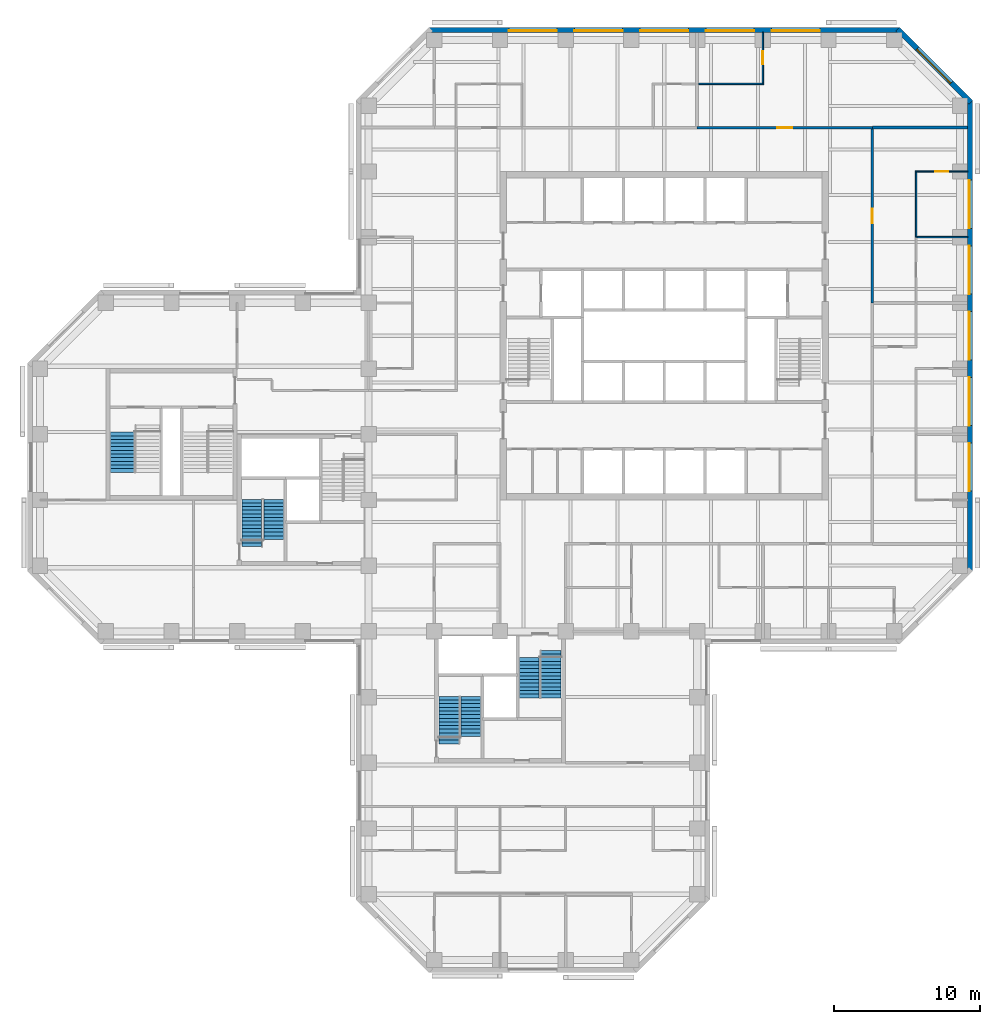
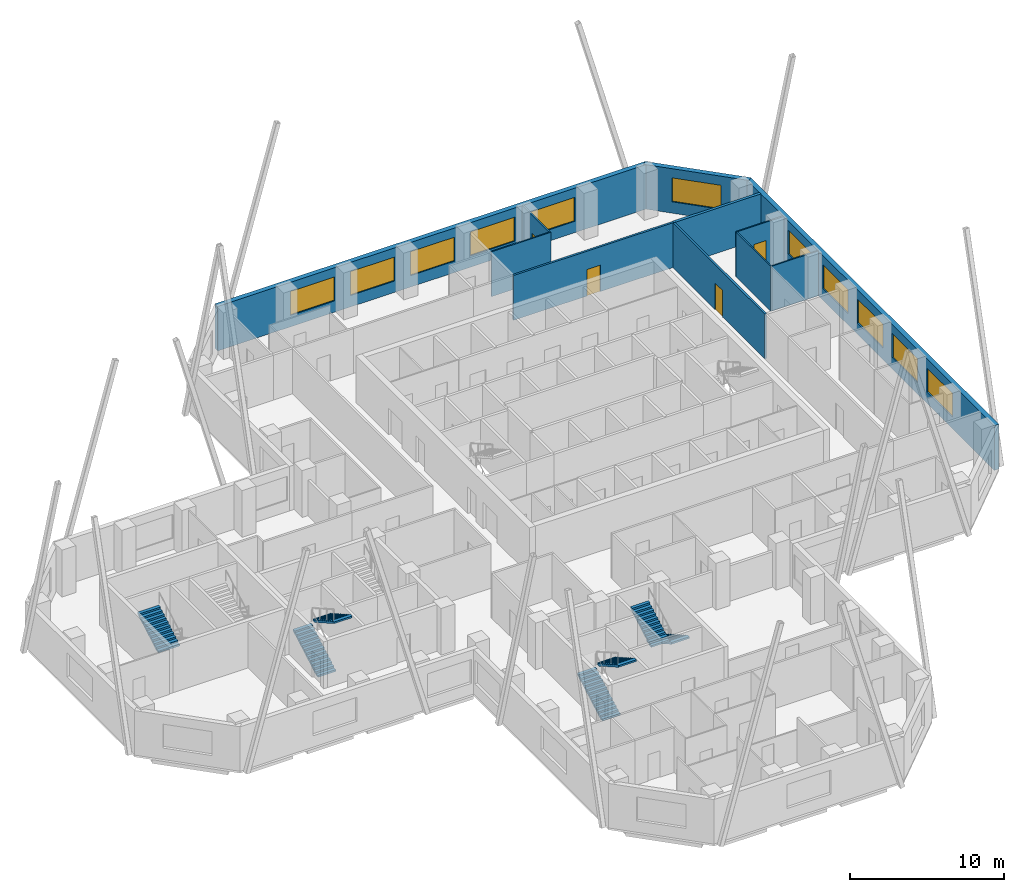
# One storey, part 9 of 11: 11 walls, 11 windows, 7 stair flights, 4 doors, 15 openings, 4 elements without a shape of their own.
"""IFC4 building model written with IfcOpenShell, lengths in metres."""

from ifc_helpers import new_model, si_unit, direction, frame, frame_2d, origin, place, context, subcontext, project, spatial, polyline, rectangle, outline, extrude, material, layer, layer_set, constituent, constituent_set, type_object, element, fill, aggregate, save


model = new_model("IFC4")

# Units and contexts
model_context = context("Model", 3, precision=1e-05, world=origin(), true_north=direction((0.0, 1.0)))
body_context = subcontext(model_context, "Body", "Model", "MODEL_VIEW")
ifc_project = project(units=[si_unit("LENGTHUNIT", "METRE"), si_unit("AREAUNIT", "SQUARE_METRE"), si_unit("VOLUMEUNIT", "CUBIC_METRE"), si_unit("PLANEANGLEUNIT", "RADIAN"), si_unit("MASSUNIT", "GRAM", prefix="KILO")], contexts=[model_context])

# Site, building, storey
site_placement = place(None, origin())
site = spatial("IfcSite", under=ifc_project, at=site_placement, CompositionType="ELEMENT")
building_placement = place(site_placement, origin())
building = spatial("IfcBuilding", under=site, at=building_placement, Name="Quoin Convention Tower", CompositionType="ELEMENT")
storey_placement = place(building_placement, frame((0.0, 0.0, 127.0)))
storey = spatial("IfcBuildingStorey", under=building, at=storey_placement, Name="L33", CompositionType="ELEMENT", Elevation=127.0)

# Wall, openings, windows
ifc_material_1 = material(Name="Brick masonry", Category="masonry")
ifc_layer_1 = layer(ifc_material_1, 0.35009765625)
ifc_layer_set_1 = layer_set([ifc_layer_1], Name="Brick masonry")
wall_type_1 = type_object("IfcWallType", Name="Brick facade wall", PredefinedType="STANDARD", material=ifc_layer_set_1)
wall_1_placement = place(storey_placement, frame((77.199951171875, 44.6376953125, 0.0), z_axis=(0.0, 0.0, 1.0), x_axis=(0.0, 1.0, 0.0)))
wall_1 = element("IfcWall", 1, at=wall_1_placement, inside=storey, type_object=wall_type_1, Name="fw-L33-76500_45000", PredefinedType="STANDARD", context=body_context, shape_type="SweptSolid", body=[
    extrude(rectangle(XDim=32.224609375, YDim=0.35009765625, at=frame_2d((16.1123046875, 0.0))), origin(), (0.0, 0.0, 1.0), 3.52490234375),
])
opening_1_placement = place(wall_1_placement, frame((5.46240234375, 0.0, 0.89990234375)))
opening_1 = element("IfcOpeningElement", 2, at=opening_1_placement, cuts=wall_1, Name="Opening W-02", PredefinedType="OPENING", context=body_context, shape_type="SweptSolid", body=[
    extrude(rectangle(XDim=3.300048828125, YDim=1.89990234375, at=frame_2d((1.64990234375, 0.949951171875))), frame((0.0, 0.18505859375, 0.0), z_axis=(0.0, -1.0, 0.0), x_axis=(1.0, 0.0, 0.0)), (0.0, 0.0, 1.0), 0.3701171875),
])
opening_2_placement = place(wall_1_placement, frame((9.96240234375, 0.0, 0.89990234375)))
opening_2 = element("IfcOpeningElement", 3, at=opening_2_placement, cuts=wall_1, Name="Opening W-02", PredefinedType="OPENING", context=body_context, shape_type="SweptSolid", body=[
    extrude(rectangle(XDim=3.300048828125, YDim=1.89990234375, at=frame_2d((1.64990234375, 0.949951171875))), frame((0.0, 0.18505859375, 0.0), z_axis=(0.0, -1.0, 0.0), x_axis=(1.0, 0.0, 0.0)), (0.0, 0.0, 1.0), 0.3701171875),
])
opening_3_placement = place(wall_1_placement, frame((14.46240234375, 0.0, 0.89990234375)))
opening_3 = element("IfcOpeningElement", 4, at=opening_3_placement, cuts=wall_1, Name="Opening W-02", PredefinedType="OPENING", context=body_context, shape_type="SweptSolid", body=[
    extrude(rectangle(XDim=3.300048828125, YDim=1.89990234375, at=frame_2d((1.64990234375, 0.949951171875))), frame((0.0, 0.18505859375, 0.0), z_axis=(0.0, -1.0, 0.0), x_axis=(1.0, 0.0, 0.0)), (0.0, 0.0, 1.0), 0.3701171875),
])
opening_4_placement = place(wall_1_placement, frame((18.96240234375, 0.0, 0.89990234375)))
opening_4 = element("IfcOpeningElement", 5, at=opening_4_placement, cuts=wall_1, Name="Opening W-02", PredefinedType="OPENING", context=body_context, shape_type="SweptSolid", body=[
    extrude(rectangle(XDim=3.300048828125, YDim=1.89990234375, at=frame_2d((1.64990234375, 0.949951171875))), frame((0.0, 0.18505859375, 0.0), z_axis=(0.0, -1.0, 0.0), x_axis=(1.0, 0.0, 0.0)), (0.0, 0.0, 1.0), 0.3701171875),
])
opening_5_placement = place(wall_1_placement, frame((23.46240234375, 0.0, 0.89990234375)))
opening_5 = element("IfcOpeningElement", 6, at=opening_5_placement, cuts=wall_1, Name="Opening W-02", PredefinedType="OPENING", context=body_context, shape_type="SweptSolid", body=[
    extrude(rectangle(XDim=3.300048828125, YDim=1.89990234375, at=frame_2d((1.64990234375, 0.949951171875))), frame((0.0, 0.18505859375, 0.0), z_axis=(0.0, -1.0, 0.0), x_axis=(1.0, 0.0, 0.0)), (0.0, 0.0, 1.0), 0.3701171875),
])
ifc_material_2 = material(Name="Aluminium", Category="aluminium")
ifc_constituent_1 = constituent(ifc_material_2, Name="Frame")
ifc_material_3 = material(Name="Insulated glass", Category="glass")
ifc_constituent_2 = constituent(ifc_material_3, Name="Glazing")
ifc_constituent_set = constituent_set(constituents=[ifc_constituent_1, ifc_constituent_2], Name="Aluminium")
window_type = type_object("IfcWindowType", Name="Office window", PartitioningType="DOUBLE_PANEL_VERTICAL", PredefinedType="WINDOW", material=ifc_constituent_set)
window_1_placement = place(opening_1_placement, origin())
window_1 = element("IfcWindow", 7, at=window_1_placement, inside=storey, type_object=window_type, Name="win-L33-77200_51750", OverallHeight=1.89990234375, OverallWidth=3.300048828125, PartitioningType="SINGLE_PANEL", PredefinedType="WINDOW", context=body_context, shape_type="SweptSolid", body=[
    extrude(rectangle(XDim=3.300048828125, YDim=1.89990234375, at=frame_2d((1.64990234375, 0.949951171875))), frame((0.0, 0.0849609375, 0.0), z_axis=(0.0, -1.0, 0.0), x_axis=(1.0, 0.0, 0.0)), (0.0, 0.0, 1.0), 0.06005859375),
])
fill(opening_1, window_1)
window_2_placement = place(opening_2_placement, origin())
window_2 = element("IfcWindow", 8, at=window_2_placement, inside=storey, type_object=window_type, Name="win-L33-77200_56250", OverallHeight=1.89990234375, OverallWidth=3.300048828125, PartitioningType="SINGLE_PANEL", PredefinedType="WINDOW", context=body_context, shape_type="SweptSolid", body=[
    extrude(rectangle(XDim=3.300048828125, YDim=1.89990234375, at=frame_2d((1.64990234375, 0.949951171875))), frame((0.0, 0.0849609375, 0.0), z_axis=(0.0, -1.0, 0.0), x_axis=(1.0, 0.0, 0.0)), (0.0, 0.0, 1.0), 0.06005859375),
])
fill(opening_2, window_2)
window_3_placement = place(opening_3_placement, origin())
window_3 = element("IfcWindow", 9, at=window_3_placement, inside=storey, type_object=window_type, Name="win-L33-77200_60750", OverallHeight=1.89990234375, OverallWidth=3.300048828125, PartitioningType="SINGLE_PANEL", PredefinedType="WINDOW", context=body_context, shape_type="SweptSolid", body=[
    extrude(rectangle(XDim=3.300048828125, YDim=1.89990234375, at=frame_2d((1.64990234375, 0.949951171875))), frame((0.0, 0.0849609375, 0.0), z_axis=(0.0, -1.0, 0.0), x_axis=(1.0, 0.0, 0.0)), (0.0, 0.0, 1.0), 0.06005859375),
])
fill(opening_3, window_3)
window_4_placement = place(opening_4_placement, origin())
window_4 = element("IfcWindow", 10, at=window_4_placement, inside=storey, type_object=window_type, Name="win-L33-77200_65250", OverallHeight=1.89990234375, OverallWidth=3.300048828125, PartitioningType="SINGLE_PANEL", PredefinedType="WINDOW", context=body_context, shape_type="SweptSolid", body=[
    extrude(rectangle(XDim=3.300048828125, YDim=1.89990234375, at=frame_2d((1.64990234375, 0.949951171875))), frame((0.0, 0.0849609375, 0.0), z_axis=(0.0, -1.0, 0.0), x_axis=(1.0, 0.0, 0.0)), (0.0, 0.0, 1.0), 0.06005859375),
])
fill(opening_4, window_4)
window_5_placement = place(opening_5_placement, origin())
window_5 = element("IfcWindow", 11, at=window_5_placement, inside=storey, type_object=window_type, Name="win-L33-77200_69750", OverallHeight=1.89990234375, OverallWidth=3.300048828125, PartitioningType="SINGLE_PANEL", PredefinedType="WINDOW", context=body_context, shape_type="SweptSolid", body=[
    extrude(rectangle(XDim=3.300048828125, YDim=1.89990234375, at=frame_2d((1.64990234375, 0.949951171875))), frame((0.0, 0.0849609375, 0.0), z_axis=(0.0, -1.0, 0.0), x_axis=(1.0, 0.0, 0.0)), (0.0, 0.0, 1.0), 0.06005859375),
])
fill(opening_5, window_5)

# Wall, opening, window
wall_2_placement = place(storey_placement, frame((77.251220703125, 76.73876953125, 0.0), z_axis=(0.0, 0.0, 1.0), x_axis=(-0.707106781187, 0.707106781187, 0.0)))
wall_2 = element("IfcWall", 12, at=wall_2_placement, inside=storey, type_object=wall_type_1, Name="fw-L33-76500_76500", PredefinedType="STANDARD", context=body_context, shape_type="SweptSolid", body=[
    extrude(rectangle(XDim=7.088623046875, YDim=0.35009765625, at=frame_2d((3.54443359375, 0.0))), origin(), (0.0, 0.0, 1.0), 3.52490234375),
])
opening_6_placement = place(wall_2_placement, frame((1.894287109375, 0.0, 0.89990234375)))
opening_6 = element("IfcOpeningElement", 13, at=opening_6_placement, cuts=wall_2, Name="Opening W-02", PredefinedType="OPENING", context=body_context, shape_type="SweptSolid", body=[
    extrude(rectangle(XDim=3.300048828125, YDim=1.89990234375, at=frame_2d((1.64990234375, 0.949951171875))), frame((0.0, 0.18505859375, 0.0), z_axis=(0.0, -1.0, 0.0), x_axis=(1.0, 0.0, 0.0)), (0.0, 0.0, 1.0), 0.3701171875),
])
window_6_placement = place(opening_6_placement, origin())
window_6 = element("IfcWindow", 14, at=window_6_placement, inside=storey, type_object=window_type, Name="win-L33-74745_79245", OverallHeight=1.89990234375, OverallWidth=3.300048828125, PartitioningType="SINGLE_PANEL", PredefinedType="WINDOW", context=body_context, shape_type="SweptSolid", body=[
    extrude(rectangle(XDim=3.300048828125, YDim=1.89990234375, at=frame_2d((1.64990234375, 0.949951171875))), frame((0.0, 0.0849609375, 0.0), z_axis=(0.0, -1.0, 0.0), x_axis=(1.0, 0.0, 0.0)), (0.0, 0.0, 1.0), 0.06005859375),
])
fill(opening_6, window_6)

# Wall, openings, windows
wall_3_placement = place(storey_placement, frame((72.3623046875, 81.699951171875, 0.0), z_axis=(0.0, 0.0, 1.0), x_axis=(-1.0, 0.0, 0.0)))
wall_3 = element("IfcWall", 15, at=wall_3_placement, inside=storey, type_object=wall_type_1, Name="fw-L33-72000_81000", PredefinedType="STANDARD", context=body_context, shape_type="SweptSolid", body=[
    extrude(rectangle(XDim=32.224609375, YDim=0.35009765625, at=frame_2d((16.1123046875, 0.0))), origin(), (0.0, 0.0, 1.0), 3.52490234375),
])
opening_7_placement = place(wall_3_placement, frame((5.46240234375, 0.0, 0.89990234375)))
opening_7 = element("IfcOpeningElement", 16, at=opening_7_placement, cuts=wall_3, Name="Opening W-02", PredefinedType="OPENING", context=body_context, shape_type="SweptSolid", body=[
    extrude(rectangle(XDim=3.300048828125, YDim=1.89990234375, at=frame_2d((1.64990234375, 0.949951171875))), frame((0.0, 0.18505859375, 0.0), z_axis=(0.0, -1.0, 0.0), x_axis=(1.0, 0.0, 0.0)), (0.0, 0.0, 1.0), 0.3701171875),
])
opening_8_placement = place(wall_3_placement, frame((9.96240234375, 0.0, 0.89990234375)))
opening_8 = element("IfcOpeningElement", 17, at=opening_8_placement, cuts=wall_3, Name="Opening W-02", PredefinedType="OPENING", context=body_context, shape_type="SweptSolid", body=[
    extrude(rectangle(XDim=3.300048828125, YDim=1.89990234375, at=frame_2d((1.64990234375, 0.949951171875))), frame((0.0, 0.18505859375, 0.0), z_axis=(0.0, -1.0, 0.0), x_axis=(1.0, 0.0, 0.0)), (0.0, 0.0, 1.0), 0.3701171875),
])
opening_9_placement = place(wall_3_placement, frame((14.46240234375, 0.0, 0.89990234375)))
opening_9 = element("IfcOpeningElement", 18, at=opening_9_placement, cuts=wall_3, Name="Opening W-02", PredefinedType="OPENING", context=body_context, shape_type="SweptSolid", body=[
    extrude(rectangle(XDim=3.300048828125, YDim=1.89990234375, at=frame_2d((1.64990234375, 0.949951171875))), frame((0.0, 0.18505859375, 0.0), z_axis=(0.0, -1.0, 0.0), x_axis=(1.0, 0.0, 0.0)), (0.0, 0.0, 1.0), 0.3701171875),
])
opening_10_placement = place(wall_3_placement, frame((18.96240234375, 0.0, 0.89990234375)))
opening_10 = element("IfcOpeningElement", 19, at=opening_10_placement, cuts=wall_3, Name="Opening W-02", PredefinedType="OPENING", context=body_context, shape_type="SweptSolid", body=[
    extrude(rectangle(XDim=3.300048828125, YDim=1.89990234375, at=frame_2d((1.64990234375, 0.949951171875))), frame((0.0, 0.18505859375, 0.0), z_axis=(0.0, -1.0, 0.0), x_axis=(1.0, 0.0, 0.0)), (0.0, 0.0, 1.0), 0.3701171875),
])
opening_11_placement = place(wall_3_placement, frame((23.46240234375, 0.0, 0.89990234375)))
opening_11 = element("IfcOpeningElement", 20, at=opening_11_placement, cuts=wall_3, Name="Opening W-02", PredefinedType="OPENING", context=body_context, shape_type="SweptSolid", body=[
    extrude(rectangle(XDim=3.300048828125, YDim=1.89990234375, at=frame_2d((1.64990234375, 0.949951171875))), frame((0.0, 0.18505859375, 0.0), z_axis=(0.0, -1.0, 0.0), x_axis=(1.0, 0.0, 0.0)), (0.0, 0.0, 1.0), 0.3701171875),
])
window_7_placement = place(opening_7_placement, origin())
window_7 = element("IfcWindow", 21, at=window_7_placement, inside=storey, type_object=window_type, Name="win-L33-65250_81700", OverallHeight=1.89990234375, OverallWidth=3.300048828125, PartitioningType="SINGLE_PANEL", PredefinedType="WINDOW", context=body_context, shape_type="SweptSolid", body=[
    extrude(rectangle(XDim=3.300048828125, YDim=1.89990234375, at=frame_2d((1.64990234375, 0.949951171875))), frame((0.0, 0.0849609375, 0.0), z_axis=(0.0, -1.0, 0.0), x_axis=(1.0, 0.0, 0.0)), (0.0, 0.0, 1.0), 0.06005859375),
])
fill(opening_7, window_7)
window_8_placement = place(opening_8_placement, origin())
window_8 = element("IfcWindow", 22, at=window_8_placement, inside=storey, type_object=window_type, Name="win-L33-60750_81700", OverallHeight=1.89990234375, OverallWidth=3.300048828125, PartitioningType="SINGLE_PANEL", PredefinedType="WINDOW", context=body_context, shape_type="SweptSolid", body=[
    extrude(rectangle(XDim=3.300048828125, YDim=1.89990234375, at=frame_2d((1.64990234375, 0.949951171875))), frame((0.0, 0.0849609375, 0.0), z_axis=(0.0, -1.0, 0.0), x_axis=(1.0, 0.0, 0.0)), (0.0, 0.0, 1.0), 0.06005859375),
])
fill(opening_8, window_8)
window_9_placement = place(opening_9_placement, origin())
window_9 = element("IfcWindow", 23, at=window_9_placement, inside=storey, type_object=window_type, Name="win-L33-56250_81700", OverallHeight=1.89990234375, OverallWidth=3.300048828125, PartitioningType="SINGLE_PANEL", PredefinedType="WINDOW", context=body_context, shape_type="SweptSolid", body=[
    extrude(rectangle(XDim=3.300048828125, YDim=1.89990234375, at=frame_2d((1.64990234375, 0.949951171875))), frame((0.0, 0.0849609375, 0.0), z_axis=(0.0, -1.0, 0.0), x_axis=(1.0, 0.0, 0.0)), (0.0, 0.0, 1.0), 0.06005859375),
])
fill(opening_9, window_9)
window_10_placement = place(opening_10_placement, origin())
window_10 = element("IfcWindow", 24, at=window_10_placement, inside=storey, type_object=window_type, Name="win-L33-51750_81700", OverallHeight=1.89990234375, OverallWidth=3.300048828125, PartitioningType="SINGLE_PANEL", PredefinedType="WINDOW", context=body_context, shape_type="SweptSolid", body=[
    extrude(rectangle(XDim=3.300048828125, YDim=1.89990234375, at=frame_2d((1.64990234375, 0.949951171875))), frame((0.0, 0.0849609375, 0.0), z_axis=(0.0, -1.0, 0.0), x_axis=(1.0, 0.0, 0.0)), (0.0, 0.0, 1.0), 0.06005859375),
])
fill(opening_10, window_10)
window_11_placement = place(opening_11_placement, origin())
window_11 = element("IfcWindow", 25, at=window_11_placement, inside=storey, type_object=window_type, Name="win-L33-47250_81700", OverallHeight=1.89990234375, OverallWidth=3.300048828125, PartitioningType="SINGLE_PANEL", PredefinedType="WINDOW", context=body_context, shape_type="SweptSolid", body=[
    extrude(rectangle(XDim=3.300048828125, YDim=1.89990234375, at=frame_2d((1.64990234375, 0.949951171875))), frame((0.0, 0.0849609375, 0.0), z_axis=(0.0, -1.0, 0.0), x_axis=(1.0, 0.0, 0.0)), (0.0, 0.0, 1.0), 0.06005859375),
])
fill(opening_11, window_11)

# Wall, opening, door
ifc_material_4 = material(Name="Plasterboard")
ifc_layer_2 = layer(ifc_material_4, 0.012451171875, Name="Finish")
ifc_material_5 = material(Name="Steel stud framing", Category="steel")
ifc_layer_3 = layer(ifc_material_5, 0.125, Name="Structure")
ifc_layer_4 = layer(ifc_material_4, 0.012451171875, Name="Finish")
ifc_layer_set_2 = layer_set([ifc_layer_2, ifc_layer_3, ifc_layer_4], Name="Steel stud framing")
wall_type_2 = type_object("IfcWallType", Name="Corridor wall 150", PredefinedType="PARTITIONING", material=ifc_layer_set_2)
wall_4_placement = place(storey_placement, frame((58.5, 75.0, 0.0), z_axis=(0.0, 0.0, 1.0), x_axis=(1.0, 0.0, 0.0)))
wall_4 = element("IfcWall", 26, at=wall_4_placement, inside=storey, type_object=wall_type_2, Name="pw-L33-053", PredefinedType="PARTITIONING", context=body_context, shape_type="SweptSolid", body=[
    extrude(rectangle(XDim=12.0, YDim=0.14990234375, at=frame_2d((6.0, 0.0))), origin(), (0.0, 0.0, 1.0), 3.550048828125),
])
opening_12_placement = place(wall_4_placement, frame((5.5, 0.0, 0.0)))
opening_12 = element("IfcOpeningElement", 27, at=opening_12_placement, cuts=wall_4, Name="Opening DOL7-22", PredefinedType="OPENING", context=body_context, shape_type="SweptSolid", body=[
    extrude(rectangle(XDim=1.0, YDim=2.10009765625, at=frame_2d((0.5, 1.050048828125))), frame((0.0, 0.0849609375, 0.0), z_axis=(0.0, -1.0, 0.0), x_axis=(1.0, 0.0, 0.0)), (0.0, 0.0, 1.0), 0.169921875),
])
ifc_material_6 = material(Name="Steel door leaf", Category="steel")
door_type_1 = type_object("IfcDoorType", Name="Tenancy entrance door 1000 x 2100", OperationType="DOUBLE_DOOR_SINGLE_SWING", PredefinedType="DOOR", material=ifc_material_6)
door_1_placement = place(opening_12_placement, origin())
door_1 = element("IfcDoor", 28, at=door_1_placement, inside=storey, type_object=door_type_1, Name="dr-L33-36", OperationType="DOUBLE_DOOR_SINGLE_SWING", OverallHeight=2.10009765625, OverallWidth=1.0, PredefinedType="DOOR", context=body_context, shape_type="SweptSolid", body=[
    extrude(rectangle(XDim=1.0, YDim=2.10009765625, at=frame_2d((0.5, 1.050048828125))), frame((0.0, 0.02490234375, 0.0), z_axis=(0.0, -1.0, 0.0), x_axis=(1.0, 0.0, 0.0)), (0.0, 0.0, 1.0), 0.050048828125),
])
fill(opening_12, door_1)

wall_5_placement = place(storey_placement, frame((70.5, 63.0, 0.0), z_axis=(0.0, 0.0, 1.0), x_axis=(0.0, 1.0, 0.0)))
wall_5 = element("IfcWall", 29, at=wall_5_placement, inside=storey, type_object=wall_type_2, Name="pw-L33-099", PredefinedType="PARTITIONING", context=body_context, shape_type="SweptSolid", body=[
    extrude(rectangle(XDim=11.89990234375, YDim=0.14990234375, at=frame_2d((5.949951171875, 0.0))), origin(), (0.0, 0.0, 1.0), 3.550048828125),
])
opening_13_placement = place(wall_5_placement, frame((5.449951171875, 0.0, 0.0)))
opening_13 = element("IfcOpeningElement", 30, at=opening_13_placement, cuts=wall_5, Name="Opening DOL7-33", PredefinedType="OPENING", context=body_context, shape_type="SweptSolid", body=[
    extrude(rectangle(XDim=1.0, YDim=2.10009765625, at=frame_2d((0.5, 1.050048828125))), frame((0.0, 0.0849609375, 0.0), z_axis=(0.0, -1.0, 0.0), x_axis=(1.0, 0.0, 0.0)), (0.0, 0.0, 1.0), 0.169921875),
])
door_2_placement = place(opening_13_placement, frame((1.0, 0.0, 0.0), z_axis=(0.0, 0.0, 1.0), x_axis=(-1.0, 0.0, 0.0)))
door_2 = element("IfcDoor", 31, at=door_2_placement, inside=storey, type_object=door_type_1, Name="dr-L33-29", OperationType="DOUBLE_DOOR_SINGLE_SWING", OverallHeight=2.10009765625, OverallWidth=1.0, PredefinedType="DOOR", context=body_context, shape_type="SweptSolid", body=[
    extrude(rectangle(XDim=1.0, YDim=2.10009765625, at=frame_2d((0.5, 1.050048828125))), frame((0.0, 0.02490234375, 0.0), z_axis=(0.0, -1.0, 0.0), x_axis=(1.0, 0.0, 0.0)), (0.0, 0.0, 1.0), 0.050048828125),
])
fill(opening_13, door_2)

# Wall
ifc_layer_5 = layer(ifc_material_4, 0.012451171875, Name="Finish")
ifc_layer_6 = layer(ifc_material_5, 0.074951171875, Name="Structure")
ifc_layer_7 = layer(ifc_material_4, 0.012451171875, Name="Finish")
ifc_layer_set_3 = layer_set([ifc_layer_5, ifc_layer_6, ifc_layer_7], Name="Steel stud framing")
wall_type_3 = type_object("IfcWallType", Name="Stud partition 100", PredefinedType="PARTITIONING", material=ifc_layer_set_3)
wall_6_placement = place(storey_placement, frame((73.550048828125, 67.5, 0.0), z_axis=(0.0, 0.0, 1.0), x_axis=(1.0, 0.0, 0.0)))
element("IfcWall", 32, at=wall_6_placement, inside=storey, type_object=wall_type_3, Name="pw-L33-046", PredefinedType="PARTITIONING", context=body_context, shape_type="SweptSolid", body=[
    extrude(rectangle(XDim=3.474853515625, YDim=0.10009765625, at=frame_2d((1.7373046875, 0.0))), origin(), (0.0, 0.0, 1.0), 3.550048828125),
])

# Wall, opening, door
wall_7_placement = place(storey_placement, frame((73.449951171875, 72.0, 0.0), z_axis=(0.0, 0.0, 1.0), x_axis=(1.0, 0.0, 0.0)))
wall_7 = element("IfcWall", 33, at=wall_7_placement, inside=storey, type_object=wall_type_3, Name="pw-L33-047", PredefinedType="PARTITIONING", context=body_context, shape_type="SweptSolid", body=[
    extrude(rectangle(XDim=3.574951171875, YDim=0.10009765625, at=frame_2d((1.78759765625, 0.0))), origin(), (0.0, 0.0, 1.0), 3.550048828125),
])
opening_14_placement = place(wall_7_placement, frame((1.35009765625, 0.0, 0.0)))
opening_14 = element("IfcOpeningElement", 34, at=opening_14_placement, cuts=wall_7, Name="Opening DOL7-20", PredefinedType="OPENING", context=body_context, shape_type="SweptSolid", body=[
    extrude(rectangle(XDim=0.89990234375, YDim=2.10009765625, at=frame_2d((0.449951171875, 1.050048828125))), frame((0.0, 0.06005859375, 0.0), z_axis=(0.0, -1.0, 0.0), x_axis=(1.0, 0.0, 0.0)), (0.0, 0.0, 1.0), 0.1201171875),
])
door_type_2 = type_object("IfcDoorType", Name="Office door 900 x 2100", OperationType="SINGLE_SWING_RIGHT", PredefinedType="DOOR", material=ifc_material_6)
door_3_placement = place(opening_14_placement, origin())
door_3 = element("IfcDoor", 35, at=door_3_placement, inside=storey, type_object=door_type_2, Name="dr-L33-31", OperationType="SINGLE_SWING_RIGHT", OverallHeight=2.10009765625, OverallWidth=0.89990234375, PredefinedType="DOOR", context=body_context, shape_type="SweptSolid", body=[
    extrude(rectangle(XDim=0.89990234375, YDim=2.10009765625, at=frame_2d((0.449951171875, 1.050048828125))), frame((0.0, 0.02490234375, 0.0), z_axis=(0.0, -1.0, 0.0), x_axis=(1.0, 0.0, 0.0)), (0.0, 0.0, 1.0), 0.050048828125),
])
fill(opening_14, door_3)

# Walls
for number, where, z_axis, x_axis, name in (
    (36, (58.60009765625, 78.0, 0.0), (0.0, 0.0, 1.0), (1.0, 0.0, 0.0), "pw-L33-057"),
    (37, (73.5, 67.5, 0.0), (0.0, 0.0, 1.0), (0.0, 1.0, 0.0), "pw-L33-101"),
):
    element("IfcWall", number, at=place(storey_placement, frame(where, z_axis=z_axis, x_axis=x_axis)), inside=storey, type_object=wall_type_3, Name=name, PredefinedType="PARTITIONING", context=body_context, shape_type="SweptSolid", body=[
        extrude(rectangle(XDim=4.449951171875, YDim=0.10009765625, at=frame_2d((2.22509765625, 0.0))), origin(), (0.0, 0.0, 1.0), 3.550048828125),
    ])

# Wall, opening, door
wall_8_placement = place(storey_placement, frame((63.0, 78.050048828125, 0.0), z_axis=(0.0, 0.0, 1.0), x_axis=(0.0, 1.0, 0.0)))
wall_8 = element("IfcWall", 38, at=wall_8_placement, inside=storey, type_object=wall_type_3, Name="pw-L33-108", PredefinedType="PARTITIONING", context=body_context, shape_type="SweptSolid", body=[
    extrude(rectangle(XDim=3.474853515625, YDim=0.10009765625, at=frame_2d((1.7373046875, 0.0))), origin(), (0.0, 0.0, 1.0), 3.550048828125),
])
opening_15_placement = place(wall_8_placement, frame((1.300048828125, 0.0, 0.0)))
opening_15 = element("IfcOpeningElement", 39, at=opening_15_placement, cuts=wall_8, Name="Opening DOL7-36", PredefinedType="OPENING", context=body_context, shape_type="SweptSolid", body=[
    extrude(rectangle(XDim=0.89990234375, YDim=2.10009765625, at=frame_2d((0.449951171875, 1.050048828125))), frame((0.0, 0.06005859375, 0.0), z_axis=(0.0, -1.0, 0.0), x_axis=(1.0, 0.0, 0.0)), (0.0, 0.0, 1.0), 0.1201171875),
])
door_4_placement = place(opening_15_placement, frame((0.89990234375, 0.0, 0.0), z_axis=(0.0, 0.0, 1.0), x_axis=(-1.0, 0.0, 0.0)))
door_4 = element("IfcDoor", 40, at=door_4_placement, inside=storey, type_object=door_type_2, Name="dr-L33-37", OperationType="SINGLE_SWING_LEFT", OverallHeight=2.10009765625, OverallWidth=0.89990234375, PredefinedType="DOOR", context=body_context, shape_type="SweptSolid", body=[
    extrude(rectangle(XDim=0.89990234375, YDim=2.10009765625, at=frame_2d((0.449951171875, 1.050048828125))), frame((0.0, 0.02490234375, 0.0), z_axis=(0.0, -1.0, 0.0), x_axis=(1.0, 0.0, 0.0)), (0.0, 0.0, 1.0), 0.050048828125),
])
fill(opening_15, door_4)

# Wall
ifc_layer_8 = layer(ifc_material_4, 0.012451171875, Name="Finish")
ifc_layer_9 = layer(ifc_material_5, 0.175048828125, Name="Structure")
ifc_layer_10 = layer(ifc_material_4, 0.012451171875, Name="Finish")
ifc_layer_set_4 = layer_set([ifc_layer_8, ifc_layer_9, ifc_layer_10], Name="Steel stud framing")
wall_type_4 = type_object("IfcWallType", Name="Tenancy demising wall 200", PredefinedType="PARTITIONING", material=ifc_layer_set_4)
wall_9_placement = place(storey_placement, frame((70.5, 75.0, 0.0), z_axis=(0.0, 0.0, 1.0), x_axis=(1.0, 0.0, 0.0)))
element("IfcWall", 41, at=wall_9_placement, inside=storey, type_object=wall_type_4, Name="pw-L33-054", PredefinedType="PARTITIONING", context=body_context, shape_type="SweptSolid", body=[
    extrude(rectangle(XDim=6.52490234375, YDim=0.199951171875, at=frame_2d((3.262451171875, 0.0))), origin(), (0.0, 0.0, 1.0), 3.550048828125),
])

# Stair, stair flights
ifc_material_7 = material(Name="Concrete C40", Category="concrete")
stair_type_1 = type_object("IfcStairType", Name="Exit stair two-flight 1350", PredefinedType="HALF_TURN_STAIR", material=ifc_material_7)
stair_1_placement = place(storey_placement, origin())
stair_1 = element("IfcStair", 42, at=stair_1_placement, inside=storey, type_object=stair_type_1, Name="SD3 L33", PredefinedType="HALF_TURN_STAIR")
stair_flight_type_1 = type_object("IfcStairFlightType", Name="Stair flight 1350", PredefinedType="STRAIGHT", material=ifc_material_7)
stair_flight_1_placement = place(storey_placement, frame((28.0, 46.300048828125, 0.0), z_axis=(0.0, 0.0, 1.0), x_axis=(0.0, 1.0, 0.0)))
stair_flight_1 = element("IfcStairFlight", 43, at=stair_flight_1_placement, type_object=stair_flight_type_1, Name="ST3 flight 1", NumberOfRisers=14, NumberOfTreads=13, PredefinedType="STRAIGHT", RiserHeight=0.142307692, TreadLength=0.25, context=body_context, shape_type="SweptSolid", body=[
    extrude(outline(polyline([(0.0, 0.0), (0.0, 0.142333984375), (0.25, 0.142333984375), (0.25, 0.28466796875), (0.5, 0.28466796875), (0.5, 0.427001953125), (0.75, 0.427001953125), (0.75, 0.5693359375), (1.0, 0.5693359375), (1.0, 0.71142578125), (1.25, 0.71142578125), (1.25, 0.853759765625), (1.5, 0.853759765625), (1.5, 0.99609375), (1.75, 0.99609375), (1.75, 1.138427734375), (2.0, 1.138427734375), (2.0, 1.28076171875), (2.25, 1.28076171875), (2.25, 1.423095703125), (2.5, 1.423095703125), (2.5, 1.5654296875), (2.75, 1.5654296875), (2.75, 1.707763671875), (3.0, 1.707763671875), (3.0, 1.85009765625), (3.25, 1.85009765625), (3.25, 1.9921875), (3.25, 1.711669921875), (0.242919921875, 0.0), (0.0, 0.0)])), frame((0.0, 0.675048828125, 0.0), z_axis=(0.0, -1.0, 0.0), x_axis=(1.0, 0.0, 0.0)), (0.0, 0.0, 1.0), 1.35009765625),
])
stair_flight_2_placement = place(storey_placement, frame((29.5, 49.550048828125, 1.9921875), z_axis=(0.0, 0.0, 1.0), x_axis=(0.0, -1.0, 0.0)))
stair_flight_2 = element("IfcStairFlight", 44, at=stair_flight_2_placement, type_object=stair_flight_type_1, Name="ST3 flight 2", NumberOfRisers=12, NumberOfTreads=11, PredefinedType="STRAIGHT", RiserHeight=0.142307692, TreadLength=0.25, context=body_context, shape_type="SweptSolid", body=[
    extrude(outline(polyline([(0.0, 0.0), (0.0, 0.142333984375), (0.25, 0.142333984375), (0.25, 0.28466796875), (0.5, 0.28466796875), (0.5, 0.427001953125), (0.75, 0.427001953125), (0.75, 0.5693359375), (1.0, 0.5693359375), (1.0, 0.71142578125), (1.25, 0.71142578125), (1.25, 0.853759765625), (1.5, 0.853759765625), (1.5, 0.99609375), (1.75, 0.99609375), (1.75, 1.138427734375), (2.0, 1.138427734375), (2.0, 1.28076171875), (2.25, 1.28076171875), (2.25, 1.423095703125), (2.5, 1.423095703125), (2.5, 1.5654296875), (2.75, 1.5654296875), (2.75, 1.707763671875), (2.75, 1.42724609375), (0.242919921875, 0.0), (0.0, 0.0)])), frame((0.0, 0.675048828125, 0.0), z_axis=(0.0, -1.0, 0.0), x_axis=(1.0, 0.0, 0.0)), (0.0, 0.0, 1.0), 1.35009765625),
])
aggregate(stair_1, [stair_flight_1, stair_flight_2])

stair_2_placement = place(storey_placement, origin())
stair_2 = element("IfcStair", 45, at=stair_2_placement, inside=storey, type_object=stair_type_1, Name="SD5 L33", PredefinedType="HALF_TURN_STAIR")
stair_flight_3_placement = place(storey_placement, frame((41.5, 32.800048828125, 0.0), z_axis=(0.0, 0.0, 1.0), x_axis=(0.0, 1.0, 0.0)))
stair_flight_3 = element("IfcStairFlight", 46, at=stair_flight_3_placement, type_object=stair_flight_type_1, Name="ST5 flight 1", NumberOfRisers=14, NumberOfTreads=13, PredefinedType="STRAIGHT", RiserHeight=0.142307692, TreadLength=0.25, context=body_context, shape_type="SweptSolid", body=[
    extrude(outline(polyline([(0.0, 0.0), (0.0, 0.142333984375), (0.25, 0.142333984375), (0.25, 0.28466796875), (0.5, 0.28466796875), (0.5, 0.427001953125), (0.75, 0.427001953125), (0.75, 0.5693359375), (1.0, 0.5693359375), (1.0, 0.71142578125), (1.25, 0.71142578125), (1.25, 0.853759765625), (1.5, 0.853759765625), (1.5, 0.99609375), (1.75, 0.99609375), (1.75, 1.138427734375), (2.0, 1.138427734375), (2.0, 1.28076171875), (2.25, 1.28076171875), (2.25, 1.423095703125), (2.5, 1.423095703125), (2.5, 1.5654296875), (2.75, 1.5654296875), (2.75, 1.707763671875), (3.0, 1.707763671875), (3.0, 1.85009765625), (3.25, 1.85009765625), (3.25, 1.9921875), (3.25, 1.711669921875), (0.242919921875, 0.0), (0.0, 0.0)])), frame((0.0, 0.675048828125, 0.0), z_axis=(0.0, -1.0, 0.0), x_axis=(1.0, 0.0, 0.0)), (0.0, 0.0, 1.0), 1.35009765625),
])
stair_flight_4_placement = place(storey_placement, frame((43.0, 36.050048828125, 1.9921875), z_axis=(0.0, 0.0, 1.0), x_axis=(0.0, -1.0, 0.0)))
stair_flight_4 = element("IfcStairFlight", 47, at=stair_flight_4_placement, type_object=stair_flight_type_1, Name="ST5 flight 2", NumberOfRisers=12, NumberOfTreads=11, PredefinedType="STRAIGHT", RiserHeight=0.142307692, TreadLength=0.25, context=body_context, shape_type="SweptSolid", body=[
    extrude(outline(polyline([(0.0, 0.0), (0.0, 0.142333984375), (0.25, 0.142333984375), (0.25, 0.28466796875), (0.5, 0.28466796875), (0.5, 0.427001953125), (0.75, 0.427001953125), (0.75, 0.5693359375), (1.0, 0.5693359375), (1.0, 0.71142578125), (1.25, 0.71142578125), (1.25, 0.853759765625), (1.5, 0.853759765625), (1.5, 0.99609375), (1.75, 0.99609375), (1.75, 1.138427734375), (2.0, 1.138427734375), (2.0, 1.28076171875), (2.25, 1.28076171875), (2.25, 1.423095703125), (2.5, 1.423095703125), (2.5, 1.5654296875), (2.75, 1.5654296875), (2.75, 1.707763671875), (2.75, 1.42724609375), (0.242919921875, 0.0), (0.0, 0.0)])), frame((0.0, 0.675048828125, 0.0), z_axis=(0.0, -1.0, 0.0), x_axis=(1.0, 0.0, 0.0)), (0.0, 0.0, 1.0), 1.35009765625),
])
aggregate(stair_2, [stair_flight_3, stair_flight_4])

stair_3_placement = place(storey_placement, origin())
stair_3 = element("IfcStair", 48, at=stair_3_placement, inside=storey, type_object=stair_type_1, Name="SD6 L33", PredefinedType="HALF_TURN_STAIR")
stair_flight_5_placement = place(storey_placement, frame((48.5, 39.199951171875, 0.0), z_axis=(0.0, 0.0, 1.0), x_axis=(0.0, -1.0, 0.0)))
stair_flight_5 = element("IfcStairFlight", 49, at=stair_flight_5_placement, type_object=stair_flight_type_1, Name="ST6 flight 1", NumberOfRisers=14, NumberOfTreads=13, PredefinedType="STRAIGHT", RiserHeight=0.142307692, TreadLength=0.25, context=body_context, shape_type="SweptSolid", body=[
    extrude(outline(polyline([(0.0, 0.0), (0.0, 0.142333984375), (0.25, 0.142333984375), (0.25, 0.28466796875), (0.5, 0.28466796875), (0.5, 0.427001953125), (0.75, 0.427001953125), (0.75, 0.5693359375), (1.0, 0.5693359375), (1.0, 0.71142578125), (1.25, 0.71142578125), (1.25, 0.853759765625), (1.5, 0.853759765625), (1.5, 0.99609375), (1.75, 0.99609375), (1.75, 1.138427734375), (2.0, 1.138427734375), (2.0, 1.28076171875), (2.25, 1.28076171875), (2.25, 1.423095703125), (2.5, 1.423095703125), (2.5, 1.5654296875), (2.75, 1.5654296875), (2.75, 1.707763671875), (3.0, 1.707763671875), (3.0, 1.85009765625), (3.25, 1.85009765625), (3.25, 1.9921875), (3.25, 1.711669921875), (0.242919921875, 0.0), (0.0, 0.0)])), frame((0.0, 0.675048828125, 0.0), z_axis=(0.0, -1.0, 0.0), x_axis=(1.0, 0.0, 0.0)), (0.0, 0.0, 1.0), 1.35009765625),
])
stair_flight_6_placement = place(storey_placement, frame((47.0, 35.949951171875, 1.9921875), z_axis=(0.0, 0.0, 1.0), x_axis=(0.0, 1.0, 0.0)))
stair_flight_6 = element("IfcStairFlight", 50, at=stair_flight_6_placement, type_object=stair_flight_type_1, Name="ST6 flight 2", NumberOfRisers=12, NumberOfTreads=11, PredefinedType="STRAIGHT", RiserHeight=0.142307692, TreadLength=0.25, context=body_context, shape_type="SweptSolid", body=[
    extrude(outline(polyline([(0.0, 0.0), (0.0, 0.142333984375), (0.25, 0.142333984375), (0.25, 0.28466796875), (0.5, 0.28466796875), (0.5, 0.427001953125), (0.75, 0.427001953125), (0.75, 0.5693359375), (1.0, 0.5693359375), (1.0, 0.71142578125), (1.25, 0.71142578125), (1.25, 0.853759765625), (1.5, 0.853759765625), (1.5, 0.99609375), (1.75, 0.99609375), (1.75, 1.138427734375), (2.0, 1.138427734375), (2.0, 1.28076171875), (2.25, 1.28076171875), (2.25, 1.423095703125), (2.5, 1.423095703125), (2.5, 1.5654296875), (2.75, 1.5654296875), (2.75, 1.707763671875), (2.75, 1.42724609375), (0.242919921875, 0.0), (0.0, 0.0)])), frame((0.0, 0.675048828125, 0.0), z_axis=(0.0, -1.0, 0.0), x_axis=(1.0, 0.0, 0.0)), (0.0, 0.0, 1.0), 1.35009765625),
])
aggregate(stair_3, [stair_flight_5, stair_flight_6])

# Stair, stair flight
stair_type_2 = type_object("IfcStairType", Name="Exit stair two-flight 1600", PredefinedType="HALF_TURN_STAIR", material=ifc_material_7)
stair_4_placement = place(storey_placement, origin())
stair_4 = element("IfcStair", 51, at=stair_4_placement, inside=storey, type_object=stair_type_2, Name="SD11 L33", PredefinedType="HALF_TURN_STAIR")
stair_flight_type_2 = type_object("IfcStairFlightType", Name="Stair flight 1600", PredefinedType="STRAIGHT", material=ifc_material_7)
stair_flight_7_placement = place(storey_placement, frame((19.125, 51.39990234375, 1.9921875), z_axis=(0.0, 0.0, 1.0), x_axis=(0.0, 1.0, 0.0)))
stair_flight_7 = element("IfcStairFlight", 52, at=stair_flight_7_placement, type_object=stair_flight_type_2, Name="ST11 flight 2", NumberOfRisers=12, NumberOfTreads=11, PredefinedType="STRAIGHT", RiserHeight=0.142307692, TreadLength=0.25, context=body_context, shape_type="SweptSolid", body=[
    extrude(outline(polyline([(0.0, 0.0), (0.0, 0.142333984375), (0.25, 0.142333984375), (0.25, 0.28466796875), (0.5, 0.28466796875), (0.5, 0.427001953125), (0.75, 0.427001953125), (0.75, 0.5693359375), (1.0, 0.5693359375), (1.0, 0.71142578125), (1.25, 0.71142578125), (1.25, 0.853759765625), (1.5, 0.853759765625), (1.5, 0.99609375), (1.75, 0.99609375), (1.75, 1.138427734375), (2.0, 1.138427734375), (2.0, 1.28076171875), (2.25, 1.28076171875), (2.25, 1.423095703125), (2.5, 1.423095703125), (2.5, 1.5654296875), (2.75, 1.5654296875), (2.75, 1.707763671875), (2.75, 1.42724609375), (0.242919921875, 0.0), (0.0, 0.0)])), frame((0.0, 0.800048828125, 0.0), z_axis=(0.0, -1.0, 0.0), x_axis=(1.0, 0.0, 0.0)), (0.0, 0.0, 1.0), 1.60009765625),
])
aggregate(stair_4, [stair_flight_7])

save(model, "model.ifc")
